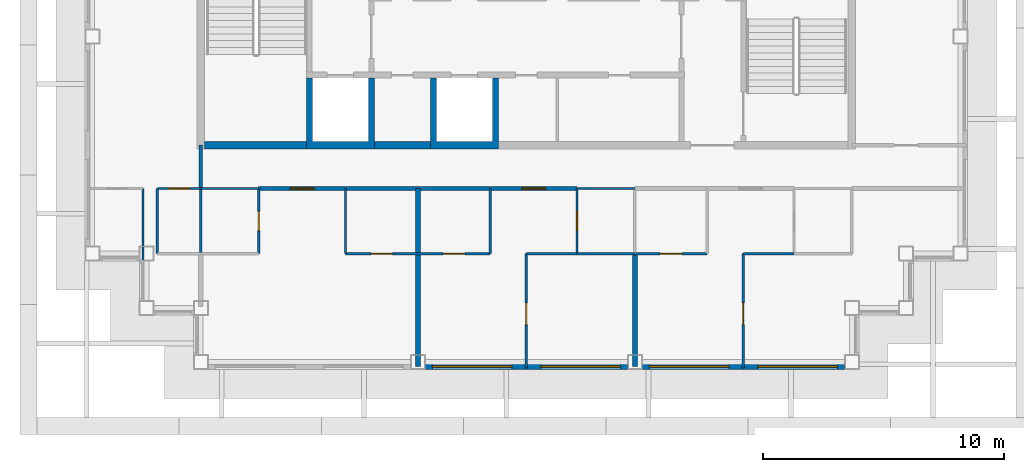
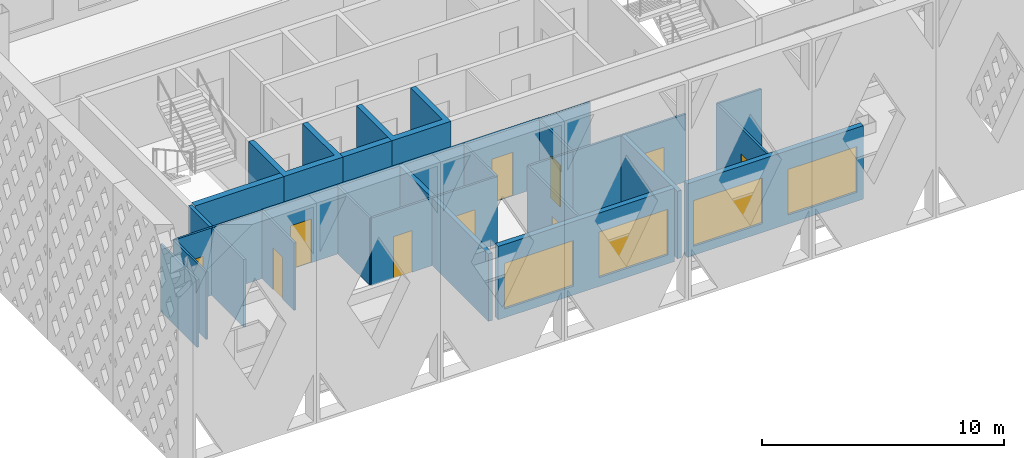
# One storey, part 2 of 13: 27 walls, 10 doors, 4 windows, 14 openings.
"""IFC4 building model written with IfcOpenShell, lengths in metres."""

import ifcopenshell
import ifcopenshell.guid

model = None  # the IFC model being written
_history = None  # IfcOwnerHistory: only IFC2X3 demands one
_inside = {}  # id of a spatial element -> (the spatial element, [elements in it])
_under = {}  # id of a project, library or spatial element -> (it, [spatial elements below it])
_declared = {}  # id of a project -> (the project, [libraries it declares])
_typed = {}  # id of a type object -> (the type object, [elements of that type])
_made_of = {}  # id of a material, layer set ... -> (it, [elements and type objects made of it])


def new_model(schema):
    """Start an empty IFC model of exactly this schema.

    Asked for "IFC4X3", IfcOpenShell would pick the latest addendum, in which some entities
    have other attributes; the version numbers below select the first issue.
    IFC2X3 requires an IfcOwnerHistory on every rooted entity: one is made here for all.
    """
    global model, _history
    if schema == "IFC4X3":
        model = ifcopenshell.file(schema_version=(4, 3, 0, 0))
    else:
        model = ifcopenshell.file(schema=schema)
    _inside.clear()
    _under.clear()
    _declared.clear()
    _typed.clear()
    _made_of.clear()
    _history = None
    if model.schema == "IFC2X3":
        org = make("IfcOrganization", Name="unknown")
        user = make(
            "IfcPersonAndOrganization",
            ThePerson=make("IfcPerson", FamilyName="unknown"),
            TheOrganization=org,
        )
        app = make(
            "IfcApplication",
            ApplicationDeveloper=org,
            Version="unknown",
            ApplicationFullName="unknown",
            ApplicationIdentifier="unknown",
        )
        _history = make(
            "IfcOwnerHistory",
            OwningUser=user,
            OwningApplication=app,
            ChangeAction="ADDED",
            CreationDate=0,
        )
    return model


def make(cls, **values):
    """One entity of the class cls with the attributes given. An attribute that is None is left unset."""
    return model.create_entity(
        cls, **{name: value for name, value in values.items() if value is not None}
    )


def rooted(cls, **values):
    """An entity with a GlobalId (a new one), such as an element, a storey or a relation."""
    return make(cls, GlobalId=ifcopenshell.guid.new(), OwnerHistory=_history, **values)


def si_unit(unit_type, name, prefix=None):
    """IfcSIUnit, for example si_unit("LENGTHUNIT", "METRE", prefix="MILLI")."""
    return make("IfcSIUnit", UnitType=unit_type, Prefix=prefix, Name=name)


def assignment(units):
    """IfcUnitAssignment: the units of a project."""
    return None if units is None else make("IfcUnitAssignment", Units=units)


def point(xyz):
    """IfcCartesianPoint."""
    return None if xyz is None else make("IfcCartesianPoint", Coordinates=xyz)


def direction(xyz):
    """IfcDirection."""
    return None if xyz is None else make("IfcDirection", DirectionRatios=xyz)


def frame(location, z_axis=None, x_axis=None):
    """IfcAxis2Placement3D, a coordinate frame: its origin and axes. An axis left out is left unset."""
    return make(
        "IfcAxis2Placement3D",
        Location=point(location),
        Axis=direction(z_axis),
        RefDirection=direction(x_axis),
    )


def frame_2d(location, x_axis=None):
    """IfcAxis2Placement2D, a coordinate frame in the plane: its origin and x axis."""
    return make(
        "IfcAxis2Placement2D", Location=point(location), RefDirection=direction(x_axis)
    )


def origin():
    """The frame at (0, 0, 0) with its axes left unset."""
    return frame((0.0, 0.0, 0.0))


def place(relative_to, where):
    """IfcLocalPlacement: puts the frame where relative to a parent placement (None: the world)."""
    return make(
        "IfcLocalPlacement", PlacementRelTo=relative_to, RelativePlacement=where
    )


def context(
    kind, dimensions, precision=None, world=None, true_north=None, identifier=None
):
    """IfcGeometricRepresentationContext, for example the 3D "Model" context."""
    return make(
        "IfcGeometricRepresentationContext",
        ContextIdentifier=identifier,
        ContextType=kind,
        CoordinateSpaceDimension=dimensions,
        Precision=precision,
        WorldCoordinateSystem=world,
        TrueNorth=true_north,
    )


def subcontext(parent, identifier, kind, view, scale=None):
    """IfcGeometricRepresentationSubContext, for example "Body" below "Model"."""
    return make(
        "IfcGeometricRepresentationSubContext",
        ContextIdentifier=identifier,
        ContextType=kind,
        ParentContext=parent,
        TargetScale=scale,
        TargetView=view,
    )


def project(units=None, contexts=None):
    """IfcProject with its units and contexts."""
    return rooted(
        "IfcProject",
        Name="project",
        RepresentationContexts=contexts,
        UnitsInContext=assignment(units),
    )


def spatial(cls, under=None, at=None, **own):
    """A site, building, storey or space (cls), placed at a placement, below another one or the project."""
    s = rooted(cls, ObjectPlacement=at, **own)
    if under is not None:
        _under.setdefault(under.id(), (under, []))[1].append(s)
    return s


def polyline(points):
    """IfcPolyline through the points."""
    return make("IfcPolyline", Points=[point(p) for p in points])


def profile(cls, at=None, kind="AREA", **sizes):
    """A parametric profile (cls). Its sizes go by their IFC names, for example OverallWidth=200.0."""
    return make(cls, ProfileType=kind, Position=at, **sizes)


def rectangle(**sizes):
    """IfcRectangleProfileDef."""
    return profile("IfcRectangleProfileDef", **sizes)


def outline(outer, holes=None, kind="AREA"):
    """IfcArbitraryClosedProfileDef: a profile drawn as a closed curve; with holes, ...WithVoids."""
    if holes is None:
        return make("IfcArbitraryClosedProfileDef", ProfileType=kind, OuterCurve=outer)
    return make(
        "IfcArbitraryProfileDefWithVoids",
        ProfileType=kind,
        OuterCurve=outer,
        InnerCurves=holes,
    )


def extrude(swept, where, along, depth):
    """IfcExtrudedAreaSolid: the profile swept, set in the frame where, extruded along a direction by depth."""
    return make(
        "IfcExtrudedAreaSolid",
        SweptArea=swept,
        Position=where,
        ExtrudedDirection=direction(along),
        Depth=depth,
    )


def shape(context_of_items, identifier, shape_type, items):
    """IfcShapeRepresentation: the items that make up one representation, for example the "Body"."""
    return make(
        "IfcShapeRepresentation",
        ContextOfItems=context_of_items,
        RepresentationIdentifier=identifier,
        RepresentationType=shape_type,
        Items=items,
    )


def material(Name=None, Category=None):
    """IfcMaterial."""
    return make("IfcMaterial", Name=Name, Category=Category)


def layer(
    of_material, thickness, ventilated=None, Name=None, Category=None, Priority=None
):
    """IfcMaterialLayer: one layer of a wall or slab, of a material (None: an air gap)."""
    return make(
        "IfcMaterialLayer",
        Material=of_material,
        LayerThickness=thickness,
        IsVentilated=ventilated,
        Name=Name,
        Category=Category,
        Priority=Priority,
    )


def layer_set(layers, Name=None):
    """IfcMaterialLayerSet."""
    return make("IfcMaterialLayerSet", MaterialLayers=layers, LayerSetName=Name)


def made_of(thing, what):
    """Note that an element or type object is made of a material, layer set ...; save() writes the relation."""
    if what is not None:
        _made_of.setdefault(what.id(), (what, []))[1].append(thing)
    return thing


def type_object(cls, material=None, **own):
    """A type object (cls), such as IfcWallType, which elements share."""
    return made_of(rooted(cls, **own), material)


def element(
    cls,
    number,
    at=None,
    inside=None,
    cuts=None,
    type_object=None,
    material=None,
    context=None,
    identifier="Body",
    shape_type=None,
    held_by="IfcProductDefinitionShape",
    body=None,
    shapes=None,
    **own,
):
    """One element of the class cls, such as IfcWall. Its Tag is "e" and its number.

    at: its placement. inside: the storey or other place that contains it. cuts: it is an
    opening in that element (IfcRelVoidsElement). A single representation is given by context,
    identifier, shape_type and body (its items); several are given by shapes. held_by: the class
    of the entity that holds the representations. save() writes the other relations.
    """
    e = rooted(cls, Tag="e%d" % number, ObjectPlacement=at, **own)
    if body is not None:
        shapes = [shape(context, identifier, shape_type, body)]
    if shapes is not None:
        e.Representation = make(held_by, Representations=shapes)
    if inside is not None:
        _inside.setdefault(inside.id(), (inside, []))[1].append(e)
    if cuts is not None:
        rooted(
            "IfcRelVoidsElement", RelatingBuildingElement=cuts, RelatedOpeningElement=e
        )
    if type_object is not None:
        _typed.setdefault(type_object.id(), (type_object, []))[1].append(e)
    return made_of(e, material)


def fill(opening, filler):
    """IfcRelFillsElement: the door or window that sits in an opening."""
    return rooted(
        "IfcRelFillsElement",
        RelatingOpeningElement=opening,
        RelatedBuildingElement=filler,
    )


def aggregate(whole, parts):
    """IfcRelAggregates: a whole, such as a stair, and the parts it consists of."""
    return rooted("IfcRelAggregates", RelatingObject=whole, RelatedObjects=parts)


def save(model, path):
    """Write the relations noted so far, then the file.

    IfcRelAggregates (storeys below a building ...), IfcRelContainedInSpatialStructure (elements
    in a storey), IfcRelDefinesByType, IfcRelAssociatesMaterial and IfcRelDeclares: one each for
    every whole, place, type object, material and project.
    """
    for whole, parts in _under.values():
        aggregate(whole, parts)
    for where, things in _inside.values():
        rooted(
            "IfcRelContainedInSpatialStructure",
            RelatedElements=things,
            RelatingStructure=where,
        )
    for kind, things in _typed.values():
        rooted("IfcRelDefinesByType", RelatedObjects=things, RelatingType=kind)
    for what, things in _made_of.values():
        rooted("IfcRelAssociatesMaterial", RelatedObjects=things, RelatingMaterial=what)
    for by, libraries in _declared.values():
        rooted("IfcRelDeclares", RelatingContext=by, RelatedDefinitions=libraries)
    model.write(path)


model = new_model("IFC4")

# Units and contexts
model_context = context("Model", 3, precision=1e-05, world=origin(), true_north=direction((0.0, 1.0)))
body_context = subcontext(model_context, "Body", "Model", "MODEL_VIEW")
ifc_project = project(units=[si_unit("LENGTHUNIT", "METRE"), si_unit("AREAUNIT", "SQUARE_METRE"), si_unit("VOLUMEUNIT", "CUBIC_METRE"), si_unit("PLANEANGLEUNIT", "RADIAN"), si_unit("MASSUNIT", "GRAM", prefix="KILO")], contexts=[model_context])

# Site, building, storey
site_placement = place(None, origin())
site = spatial("IfcSite", under=ifc_project, at=site_placement, CompositionType="ELEMENT")
building_placement = place(site_placement, origin())
building = spatial("IfcBuilding", under=site, at=building_placement, Name="Caravel Reach Hotel and Residences", CompositionType="ELEMENT")
storey_placement = place(building_placement, frame((0.0, 0.0, 294.5)))
storey = spatial("IfcBuildingStorey", under=building, at=storey_placement, Name="L75", CompositionType="ELEMENT", Elevation=294.5)

# Walls
ifc_material_1 = material(Name="Gypsum board on steel stud", Category="steel")
ifc_layer_1 = layer(ifc_material_1, 0.10009765625)
ifc_layer_set_1 = layer_set([ifc_layer_1], Name="Bathroom pod wall 100 mm")
wall_type_1 = type_object("IfcWallType", Name="Bathroom pod wall 100 mm", PredefinedType="PARTITIONING", material=ifc_layer_set_1)
for number, where, z_axis, x_axis, name in (
    (1, (33.60009765625, 18.0, 0.0), (0.0, 0.0, 1.0), (1.0, 0.0, 0.0), "L75 wall w046"),
    (2, (18.0, 20.699951171875, 0.0), (0.0, 0.0, 1.0), (1.0, 0.0, 0.0), "L75 wall w048"),
    (3, (33.60009765625, 20.699951171875, 0.0), (0.0, 0.0, 1.0), (1.0, 0.0, 0.0), "L75 wall w049"),
):
    element("IfcWall", number, at=place(storey_placement, frame(where, z_axis=z_axis, x_axis=x_axis)), inside=storey, type_object=wall_type_1, Name=name, PredefinedType="PARTITIONING", context=body_context, shape_type="SweptSolid", body=[
        extrude(rectangle(XDim=2.39990234375, YDim=0.10009765625, at=frame_2d((1.199951171875, 0.0))), origin(), (0.0, 0.0, 1.0), 3.39990234375),
    ])
wall_1_placement = place(storey_placement, frame((15.60009765625, 17.699951171875, 0.0), z_axis=(0.0, 0.0, 1.0), x_axis=(0.0, 1.0, 0.0)))
element("IfcWall", 4, at=wall_1_placement, inside=storey, type_object=wall_type_1, Name="L75 wall w054", PredefinedType="PARTITIONING", context=body_context, shape_type="SweptSolid", body=[
    extrude(rectangle(XDim=3.0, YDim=0.10009765625, at=frame_2d((1.5, 0.0))), origin(), (0.0, 0.0, 1.0), 3.39990234375),
])
wall_2_placement = place(storey_placement, frame((18.0, 18.0, 0.0), z_axis=(0.0, 0.0, 1.0), x_axis=(0.0, 1.0, 0.0)))
element("IfcWall", 5, at=wall_2_placement, inside=storey, type_object=wall_type_1, Name="L75 wall w055", PredefinedType="PARTITIONING", context=body_context, shape_type="SweptSolid", body=[
    extrude(rectangle(XDim=2.699951171875, YDim=0.10009765625, at=frame_2d((1.35009765625, 0.0))), origin(), (0.0, 0.0, 1.0), 3.39990234375),
])

# Wall, opening, door
wall_3_placement = place(storey_placement, frame((20.39990234375, 18.0, 0.0), z_axis=(0.0, 0.0, 1.0), x_axis=(0.0, 1.0, 0.0)))
wall_3 = element("IfcWall", 6, at=wall_3_placement, inside=storey, type_object=wall_type_1, Name="L75 wall w056", PredefinedType="PARTITIONING", context=body_context, shape_type="SweptSolid", body=[
    extrude(rectangle(XDim=2.699951171875, YDim=0.10009765625, at=frame_2d((1.35009765625, 0.0))), origin(), (0.0, 0.0, 1.0), 3.39990234375),
])
opening_1_placement = place(wall_3_placement, frame((0.949951171875, 0.0, 0.0)))
opening_1 = element("IfcOpeningElement", 7, at=opening_1_placement, cuts=wall_3, Name="Opening D75-025", PredefinedType="OPENING", context=body_context, shape_type="SweptSolid", body=[
    extrude(rectangle(XDim=0.800048828125, YDim=2.10009765625, at=frame_2d((0.39990234375, 1.050048828125))), frame((0.0, 0.06005859375, 0.0), z_axis=(0.0, -1.0, 0.0), x_axis=(1.0, 0.0, 0.0)), (0.0, 0.0, 1.0), 0.1201171875),
])
ifc_material_2 = material(Name="Timber and steel door leaf", Category="steel")
door_type_1 = type_object("IfcDoorType", Name="Bathroom door 800 x 2100", OperationType="SINGLE_SWING_LEFT", PredefinedType="DOOR", material=ifc_material_2)
door_1_placement = place(opening_1_placement, origin())
door_1 = element("IfcDoor", 8, at=door_1_placement, inside=storey, type_object=door_type_1, Name="door D75-025", OperationType="SINGLE_SWING_LEFT", OverallHeight=2.10009765625, OverallWidth=0.800048828125, PredefinedType="DOOR", context=body_context, shape_type="SweptSolid", body=[
    extrude(rectangle(XDim=0.800048828125, YDim=2.10009765625, at=frame_2d((0.39990234375, 1.050048828125))), frame((0.0, 0.02490234375, 0.0), z_axis=(0.0, -1.0, 0.0), x_axis=(1.0, 0.0, 0.0)), (0.0, 0.0, 1.0), 0.050048828125),
])
fill(opening_1, door_1)

wall_4_placement = place(storey_placement, frame((33.60009765625, 18.0, 0.0), z_axis=(0.0, 0.0, 1.0), x_axis=(0.0, 1.0, 0.0)))
wall_4 = element("IfcWall", 9, at=wall_4_placement, inside=storey, type_object=wall_type_1, Name="L75 wall w058", PredefinedType="PARTITIONING", context=body_context, shape_type="SweptSolid", body=[
    extrude(rectangle(XDim=2.699951171875, YDim=0.10009765625, at=frame_2d((1.35009765625, 0.0))), origin(), (0.0, 0.0, 1.0), 3.39990234375),
])
opening_2_placement = place(wall_4_placement, frame((0.949951171875, 0.0, 0.0)))
opening_2 = element("IfcOpeningElement", 10, at=opening_2_placement, cuts=wall_4, Name="Opening D75-029", PredefinedType="OPENING", context=body_context, shape_type="SweptSolid", body=[
    extrude(rectangle(XDim=0.800048828125, YDim=2.10009765625, at=frame_2d((0.39990234375, 1.050048828125))), frame((0.0, 0.06005859375, 0.0), z_axis=(0.0, -1.0, 0.0), x_axis=(1.0, 0.0, 0.0)), (0.0, 0.0, 1.0), 0.1201171875),
])
door_2_placement = place(opening_2_placement, origin())
door_2 = element("IfcDoor", 11, at=door_2_placement, inside=storey, type_object=door_type_1, Name="door D75-029", OperationType="SINGLE_SWING_RIGHT", OverallHeight=2.10009765625, OverallWidth=0.800048828125, PredefinedType="DOOR", context=body_context, shape_type="SweptSolid", body=[
    extrude(rectangle(XDim=0.800048828125, YDim=2.10009765625, at=frame_2d((0.39990234375, 1.050048828125))), frame((0.0, 0.02490234375, 0.0), z_axis=(0.0, -1.0, 0.0), x_axis=(1.0, 0.0, 0.0)), (0.0, 0.0, 1.0), 0.050048828125),
])
fill(opening_2, door_2)

# Walls
ifc_material_3 = material(Name="Concrete C60", Category="concrete")
ifc_layer_2 = layer(ifc_material_3, 0.300048828125)
ifc_layer_set_2 = layer_set([ifc_layer_2], Name="Core wall 300 mm EI 120")
wall_type_2 = type_object("IfcWallType", Name="Core wall 300 mm EI 120", PredefinedType="SHEAR", material=ifc_layer_set_2)
wall_5_placement = place(storey_placement, frame((18.14990234375, 22.5, 0.0), z_axis=(0.0, 0.0, 1.0), x_axis=(1.0, 0.0, 0.0)))
element("IfcWall", 12, at=wall_5_placement, inside=storey, type_object=wall_type_2, Name="L75 core wall S1", PredefinedType="SHEAR", context=body_context, shape_type="SweptSolid", body=[
    extrude(rectangle(XDim=4.22509765625, YDim=0.300048828125, at=frame_2d((2.112548828125, 0.0))), origin(), (0.0, 0.0, 1.0), 3.39990234375),
])
wall_6_placement = place(storey_placement, frame((25.196533203125, 22.5, 0.0), z_axis=(0.0, 0.0, 1.0), x_axis=(1.0, 0.0, 0.0)))
element("IfcWall", 13, at=wall_6_placement, inside=storey, type_object=wall_type_2, Name="L75 core wall S2", PredefinedType="SHEAR", context=body_context, shape_type="SweptSolid", body=[
    extrude(rectangle(XDim=2.3212890625, YDim=0.300048828125, at=frame_2d((1.16064453125, 0.0))), origin(), (0.0, 0.0, 1.0), 3.39990234375),
])

# Wall, openings, doors
ifc_material_4 = material(Name="Gypsum board on steel stud, fire-rated", Category="steel")
ifc_layer_3 = layer(ifc_material_4, 0.14990234375)
ifc_layer_set_3 = layer_set([ifc_layer_3], Name="Corridor wall 150 mm EI 60")
wall_type_3 = type_object("IfcWallType", Name="Corridor wall 150 mm EI 60", PredefinedType="PARTITIONING", material=ifc_layer_set_3)
wall_7_placement = place(storey_placement, frame((20.39990234375, 20.699951171875, 0.0), z_axis=(0.0, 0.0, 1.0), x_axis=(1.0, 0.0, 0.0)))
wall_7 = element("IfcWall", 14, at=wall_7_placement, inside=storey, type_object=wall_type_3, Name="L75 wall w001", PredefinedType="PARTITIONING", context=body_context, shape_type="SweptSolid", body=[
    extrude(rectangle(XDim=13.2001953125, YDim=0.14990234375, at=frame_2d((6.60009765625, 0.0))), origin(), (0.0, 0.0, 1.0), 3.39990234375),
])
opening_3_placement = place(wall_7_placement, frame((1.300048828125, 0.0, 0.0)))
opening_3 = element("IfcOpeningElement", 15, at=opening_3_placement, cuts=wall_7, Name="Opening D75-024", PredefinedType="OPENING", context=body_context, shape_type="SweptSolid", body=[
    extrude(rectangle(XDim=1.0, YDim=2.199951171875, at=frame_2d((0.5, 1.10009765625))), frame((0.0, 0.0849609375, 0.0), z_axis=(0.0, -1.0, 0.0), x_axis=(1.0, 0.0, 0.0)), (0.0, 0.0, 1.0), 0.169921875),
])
opening_4_placement = place(wall_7_placement, frame((10.900146484375, 0.0, 0.0)))
opening_4 = element("IfcOpeningElement", 16, at=opening_4_placement, cuts=wall_7, Name="Opening D75-027", PredefinedType="OPENING", context=body_context, shape_type="SweptSolid", body=[
    extrude(rectangle(XDim=1.0, YDim=2.199951171875, at=frame_2d((0.5, 1.10009765625))), frame((0.0, 0.0849609375, 0.0), z_axis=(0.0, -1.0, 0.0), x_axis=(1.0, 0.0, 0.0)), (0.0, 0.0, 1.0), 0.169921875),
])
ifc_material_5 = material(Name="Steel fire door leaf", Category="steel")
door_type_2 = type_object("IfcDoorType", Name="Flat entrance door 1000 x 2200 EI 60", OperationType="SINGLE_SWING_LEFT", PredefinedType="DOOR", material=ifc_material_5)
door_3_placement = place(opening_3_placement, origin())
door_3 = element("IfcDoor", 17, at=door_3_placement, inside=storey, type_object=door_type_2, Name="door D75-024", OperationType="SINGLE_SWING_RIGHT", OverallHeight=2.199951171875, OverallWidth=1.0, PredefinedType="DOOR", context=body_context, shape_type="SweptSolid", body=[
    extrude(rectangle(XDim=1.0, YDim=2.199951171875, at=frame_2d((0.5, 1.10009765625))), frame((0.0, 0.02490234375, 0.0), z_axis=(0.0, -1.0, 0.0), x_axis=(1.0, 0.0, 0.0)), (0.0, 0.0, 1.0), 0.050048828125),
])
fill(opening_3, door_3)
door_4_placement = place(opening_4_placement, origin())
door_4 = element("IfcDoor", 18, at=door_4_placement, inside=storey, type_object=door_type_2, Name="door D75-027", OperationType="SINGLE_SWING_RIGHT", OverallHeight=2.199951171875, OverallWidth=1.0, PredefinedType="DOOR", context=body_context, shape_type="SweptSolid", body=[
    extrude(rectangle(XDim=1.0, YDim=2.199951171875, at=frame_2d((0.5, 1.10009765625))), frame((0.0, 0.02490234375, 0.0), z_axis=(0.0, -1.0, 0.0), x_axis=(1.0, 0.0, 0.0)), (0.0, 0.0, 1.0), 0.050048828125),
])
fill(opening_4, door_4)

# Wall
wall_8_placement = place(storey_placement, frame((18.0, 20.699951171875, 0.0), z_axis=(0.0, 0.0, 1.0), x_axis=(0.0, 1.0, 0.0)))
element("IfcWall", 19, at=wall_8_placement, inside=storey, type_object=wall_type_3, Name="L75 wall w015", PredefinedType="PARTITIONING", context=body_context, shape_type="SweptSolid", body=[
    extrude(rectangle(XDim=1.800048828125, YDim=0.14990234375, at=frame_2d((0.89990234375, 0.0))), origin(), (0.0, 0.0, 1.0), 3.39990234375),
])

# Wall, openings, windows
ifc_material_6 = material(Name="Insulated rainscreen wall, aluminium cladding", Category="aluminium")
ifc_layer_4 = layer(ifc_material_6, 0.25)
ifc_layer_set_4 = layer_set([ifc_layer_4], Name="EW1 Tower rainscreen wall")
wall_type_4 = type_object("IfcWallType", Name="EW1 Tower rainscreen wall", PredefinedType="SOLIDWALL", material=ifc_layer_set_4)
wall_9_placement = place(storey_placement, frame((27.300048828125, 13.324951171875, 0.0), z_axis=(0.0, 0.0, 1.0), x_axis=(1.0, 0.0, 0.0)))
wall_9 = element("IfcWall", 20, at=wall_9_placement, inside=storey, type_object=wall_type_4, Name="External wall L75 S20.2", PredefinedType="SOLIDWALL", context=body_context, shape_type="SweptSolid", body=[
    extrude(rectangle(XDim=8.39990234375, YDim=0.25, at=frame_2d((4.199951171875, 0.0))), origin(), (0.0, 0.0, 1.0), 3.699951171875),
])
opening_5_placement = place(wall_9_placement, frame((0.300048828125, 0.0, 0.449951171875)))
opening_5 = element("IfcOpeningElement", 21, at=opening_5_placement, cuts=wall_9, Name="Opening WN15", PredefinedType="OPENING", context=body_context, shape_type="SweptSolid", body=[
    extrude(rectangle(XDim=3.300048828125, YDim=2.300048828125, at=frame_2d((1.64990234375, 1.14990234375))), frame((0.0, 0.135009765625, 0.0), z_axis=(0.0, -1.0, 0.0), x_axis=(1.0, 0.0, 0.0)), (0.0, 0.0, 1.0), 0.27001953125),
])
opening_6_placement = place(wall_9_placement, frame((4.800048828125, 0.0, 0.449951171875)))
opening_6 = element("IfcOpeningElement", 22, at=opening_6_placement, cuts=wall_9, Name="Opening WN15", PredefinedType="OPENING", context=body_context, shape_type="SweptSolid", body=[
    extrude(rectangle(XDim=3.300048828125, YDim=2.300048828125, at=frame_2d((1.64990234375, 1.14990234375))), frame((0.0, 0.135009765625, 0.0), z_axis=(0.0, -1.0, 0.0), x_axis=(1.0, 0.0, 0.0)), (0.0, 0.0, 1.0), 0.27001953125),
])
ifc_material_7 = material(Name="Dark low-e glazing in black aluminium frame", Category="aluminium")
window_type = type_object("IfcWindowType", Name="Residence living window 3300 x 2300", PartitioningType="SINGLE_PANEL", PredefinedType="WINDOW", material=ifc_material_7)
window_1_placement = place(opening_5_placement, origin())
window_1 = element("IfcWindow", 23, at=window_1_placement, inside=storey, type_object=window_type, Name="Window L75 S20.2.1", OverallHeight=2.300048828125, OverallWidth=3.300048828125, PartitioningType="SINGLE_PANEL", PredefinedType="WINDOW", context=body_context, shape_type="SweptSolid", body=[
    extrude(rectangle(XDim=3.300048828125, YDim=2.300048828125, at=frame_2d((1.64990234375, 1.14990234375))), frame((0.0, 0.030029296875, 0.0), z_axis=(0.0, -1.0, 0.0), x_axis=(1.0, 0.0, 0.0)), (0.0, 0.0, 1.0), 0.06005859375),
])
fill(opening_5, window_1)
window_2_placement = place(opening_6_placement, origin())
window_2 = element("IfcWindow", 24, at=window_2_placement, inside=storey, type_object=window_type, Name="Window L75 S20.2.2", OverallHeight=2.300048828125, OverallWidth=3.300048828125, PartitioningType="SINGLE_PANEL", PredefinedType="WINDOW", context=body_context, shape_type="SweptSolid", body=[
    extrude(rectangle(XDim=3.300048828125, YDim=2.300048828125, at=frame_2d((1.64990234375, 1.14990234375))), frame((0.0, 0.030029296875, 0.0), z_axis=(0.0, -1.0, 0.0), x_axis=(1.0, 0.0, 0.0)), (0.0, 0.0, 1.0), 0.06005859375),
])
fill(opening_6, window_2)

wall_10_placement = place(storey_placement, frame((36.300048828125, 13.324951171875, 0.0), z_axis=(0.0, 0.0, 1.0), x_axis=(1.0, 0.0, 0.0)))
wall_10 = element("IfcWall", 25, at=wall_10_placement, inside=storey, type_object=wall_type_4, Name="External wall L75 S20.3", PredefinedType="SOLIDWALL", context=body_context, shape_type="SweptSolid", body=[
    extrude(rectangle(XDim=8.39990234375, YDim=0.25, at=frame_2d((4.199951171875, 0.0))), origin(), (0.0, 0.0, 1.0), 3.699951171875),
])
opening_7_placement = place(wall_10_placement, frame((0.300048828125, 0.0, 0.449951171875)))
opening_7 = element("IfcOpeningElement", 26, at=opening_7_placement, cuts=wall_10, Name="Opening WN15", PredefinedType="OPENING", context=body_context, shape_type="SweptSolid", body=[
    extrude(rectangle(XDim=3.300048828125, YDim=2.300048828125, at=frame_2d((1.64990234375, 1.14990234375))), frame((0.0, 0.135009765625, 0.0), z_axis=(0.0, -1.0, 0.0), x_axis=(1.0, 0.0, 0.0)), (0.0, 0.0, 1.0), 0.27001953125),
])
opening_8_placement = place(wall_10_placement, frame((4.800048828125, 0.0, 0.449951171875)))
opening_8 = element("IfcOpeningElement", 27, at=opening_8_placement, cuts=wall_10, Name="Opening WN15", PredefinedType="OPENING", context=body_context, shape_type="SweptSolid", body=[
    extrude(rectangle(XDim=3.300048828125, YDim=2.300048828125, at=frame_2d((1.64990234375, 1.14990234375))), frame((0.0, 0.135009765625, 0.0), z_axis=(0.0, -1.0, 0.0), x_axis=(1.0, 0.0, 0.0)), (0.0, 0.0, 1.0), 0.27001953125),
])
window_3_placement = place(opening_7_placement, origin())
window_3 = element("IfcWindow", 28, at=window_3_placement, inside=storey, type_object=window_type, Name="Window L75 S20.3.1", OverallHeight=2.300048828125, OverallWidth=3.300048828125, PartitioningType="SINGLE_PANEL", PredefinedType="WINDOW", context=body_context, shape_type="SweptSolid", body=[
    extrude(rectangle(XDim=3.300048828125, YDim=2.300048828125, at=frame_2d((1.64990234375, 1.14990234375))), frame((0.0, 0.030029296875, 0.0), z_axis=(0.0, -1.0, 0.0), x_axis=(1.0, 0.0, 0.0)), (0.0, 0.0, 1.0), 0.06005859375),
])
fill(opening_7, window_3)
window_4_placement = place(opening_8_placement, origin())
window_4 = element("IfcWindow", 29, at=window_4_placement, inside=storey, type_object=window_type, Name="Window L75 S20.3.2", OverallHeight=2.300048828125, OverallWidth=3.300048828125, PartitioningType="SINGLE_PANEL", PredefinedType="WINDOW", context=body_context, shape_type="SweptSolid", body=[
    extrude(rectangle(XDim=3.300048828125, YDim=2.300048828125, at=frame_2d((1.64990234375, 1.14990234375))), frame((0.0, 0.030029296875, 0.0), z_axis=(0.0, -1.0, 0.0), x_axis=(1.0, 0.0, 0.0)), (0.0, 0.0, 1.0), 0.06005859375),
])
fill(opening_8, window_4)

# Wall, openings, doors
ifc_material_8 = material(Name="Gypsum board on steel stud", Category="steel")
ifc_layer_5 = layer(ifc_material_8, 0.10009765625)
ifc_layer_set_5 = layer_set([ifc_layer_5], Name="Partition 100 mm")
wall_type_5 = type_object("IfcWallType", Name="Partition 100 mm", PredefinedType="PARTITIONING", material=ifc_layer_set_5)
wall_11_placement = place(storey_placement, frame((24.0, 18.0, 0.0), z_axis=(0.0, 0.0, 1.0), x_axis=(1.0, 0.0, 0.0)))
wall_11 = element("IfcWall", 30, at=wall_11_placement, inside=storey, type_object=wall_type_5, Name="L75 wall w017", PredefinedType="PARTITIONING", context=body_context, shape_type="SweptSolid", body=[
    extrude(rectangle(XDim=6.0, YDim=0.10009765625, at=frame_2d((3.0, 0.0))), origin(), (0.0, 0.0, 1.0), 3.39990234375),
])
opening_9_placement = place(wall_11_placement, frame((1.050048828125, 0.0, 0.0)))
opening_9 = element("IfcOpeningElement", 31, at=opening_9_placement, cuts=wall_11, Name="Opening D75-026", PredefinedType="OPENING", context=body_context, shape_type="SweptSolid", body=[
    extrude(rectangle(XDim=0.89990234375, YDim=2.10009765625, at=frame_2d((0.449951171875, 1.050048828125))), frame((0.0, 0.06005859375, 0.0), z_axis=(0.0, -1.0, 0.0), x_axis=(1.0, 0.0, 0.0)), (0.0, 0.0, 1.0), 0.1201171875),
])
opening_10_placement = place(wall_11_placement, frame((4.050048828125, 0.0, 0.0)))
opening_10 = element("IfcOpeningElement", 32, at=opening_10_placement, cuts=wall_11, Name="Opening D75-028", PredefinedType="OPENING", context=body_context, shape_type="SweptSolid", body=[
    extrude(rectangle(XDim=0.89990234375, YDim=2.10009765625, at=frame_2d((0.449951171875, 1.050048828125))), frame((0.0, 0.06005859375, 0.0), z_axis=(0.0, -1.0, 0.0), x_axis=(1.0, 0.0, 0.0)), (0.0, 0.0, 1.0), 0.1201171875),
])
ifc_material_9 = material(Name="Timber and steel door leaf", Category="steel")
door_type_3 = type_object("IfcDoorType", Name="Door 900 x 2100 timber", OperationType="SINGLE_SWING_LEFT", PredefinedType="DOOR", material=ifc_material_9)
door_5_placement = place(opening_9_placement, origin())
door_5 = element("IfcDoor", 33, at=door_5_placement, inside=storey, type_object=door_type_3, Name="door D75-026", OperationType="SINGLE_SWING_RIGHT", OverallHeight=2.10009765625, OverallWidth=0.89990234375, PredefinedType="DOOR", context=body_context, shape_type="SweptSolid", body=[
    extrude(rectangle(XDim=0.89990234375, YDim=2.10009765625, at=frame_2d((0.449951171875, 1.050048828125))), frame((0.0, 0.02490234375, 0.0), z_axis=(0.0, -1.0, 0.0), x_axis=(1.0, 0.0, 0.0)), (0.0, 0.0, 1.0), 0.050048828125),
])
fill(opening_9, door_5)
door_6_placement = place(opening_10_placement, origin())
door_6 = element("IfcDoor", 34, at=door_6_placement, inside=storey, type_object=door_type_3, Name="door D75-028", OperationType="SINGLE_SWING_RIGHT", OverallHeight=2.10009765625, OverallWidth=0.89990234375, PredefinedType="DOOR", context=body_context, shape_type="SweptSolid", body=[
    extrude(rectangle(XDim=0.89990234375, YDim=2.10009765625, at=frame_2d((0.449951171875, 1.050048828125))), frame((0.0, 0.02490234375, 0.0), z_axis=(0.0, -1.0, 0.0), x_axis=(1.0, 0.0, 0.0)), (0.0, 0.0, 1.0), 0.050048828125),
])
fill(opening_10, door_6)

# Walls
for number, where, z_axis, x_axis, name in (
    (35, (31.5, 18.0, 0.0), (0.0, 0.0, 1.0), (1.0, 0.0, 0.0), "L75 wall w018"),
    (36, (40.5, 18.0, 0.0), (0.0, 0.0, 1.0), (1.0, 0.0, 0.0), "L75 wall w020"),
):
    element("IfcWall", number, at=place(storey_placement, frame(where, z_axis=z_axis, x_axis=x_axis)), inside=storey, type_object=wall_type_5, Name=name, PredefinedType="PARTITIONING", context=body_context, shape_type="SweptSolid", body=[
        extrude(rectangle(XDim=2.10009765625, YDim=0.10009765625, at=frame_2d((1.050048828125, 0.0))), origin(), (0.0, 0.0, 1.0), 3.39990234375),
    ])

# Wall, opening, door
wall_12_placement = place(storey_placement, frame((36.0, 18.0, 0.0), z_axis=(0.0, 0.0, 1.0), x_axis=(1.0, 0.0, 0.0)))
wall_12 = element("IfcWall", 37, at=wall_12_placement, inside=storey, type_object=wall_type_5, Name="L75 wall w021", PredefinedType="PARTITIONING", context=body_context, shape_type="SweptSolid", body=[
    extrude(rectangle(XDim=3.0, YDim=0.10009765625, at=frame_2d((1.5, 0.0))), origin(), (0.0, 0.0, 1.0), 3.39990234375),
])
opening_11_placement = place(wall_12_placement, frame((1.050048828125, 0.0, 0.0)))
opening_11 = element("IfcOpeningElement", 38, at=opening_11_placement, cuts=wall_12, Name="Opening D75-032", PredefinedType="OPENING", context=body_context, shape_type="SweptSolid", body=[
    extrude(rectangle(XDim=0.89990234375, YDim=2.10009765625, at=frame_2d((0.449951171875, 1.050048828125))), frame((0.0, 0.06005859375, 0.0), z_axis=(0.0, -1.0, 0.0), x_axis=(1.0, 0.0, 0.0)), (0.0, 0.0, 1.0), 0.1201171875),
])
door_7_placement = place(opening_11_placement, origin())
door_7 = element("IfcDoor", 39, at=door_7_placement, inside=storey, type_object=door_type_3, Name="door D75-032", OperationType="SINGLE_SWING_LEFT", OverallHeight=2.10009765625, OverallWidth=0.89990234375, PredefinedType="DOOR", context=body_context, shape_type="SweptSolid", body=[
    extrude(rectangle(XDim=0.89990234375, YDim=2.10009765625, at=frame_2d((0.449951171875, 1.050048828125))), frame((0.0, 0.02490234375, 0.0), z_axis=(0.0, -1.0, 0.0), x_axis=(1.0, 0.0, 0.0)), (0.0, 0.0, 1.0), 0.050048828125),
])
fill(opening_11, door_7)

wall_13_placement = place(storey_placement, frame((16.199951171875, 20.699951171875, 0.0), z_axis=(0.0, 0.0, 1.0), x_axis=(1.0, 0.0, 0.0)))
wall_13 = element("IfcWall", 40, at=wall_13_placement, inside=storey, type_object=wall_type_5, Name="L75 wall w023", PredefinedType="PARTITIONING", context=body_context, shape_type="SweptSolid", body=[
    extrude(rectangle(XDim=1.800048828125, YDim=0.10009765625, at=frame_2d((0.89990234375, 0.0))), origin(), (0.0, 0.0, 1.0), 3.39990234375),
])
opening_12_placement = place(wall_13_placement, frame((0.449951171875, 0.0, 0.0)))
opening_12 = element("IfcOpeningElement", 41, at=opening_12_placement, cuts=wall_13, Name="Opening D75-037", PredefinedType="OPENING", context=body_context, shape_type="SweptSolid", body=[
    extrude(rectangle(XDim=0.89990234375, YDim=2.10009765625, at=frame_2d((0.449951171875, 1.050048828125))), frame((0.0, 0.06005859375, 0.0), z_axis=(0.0, -1.0, 0.0), x_axis=(1.0, 0.0, 0.0)), (0.0, 0.0, 1.0), 0.1201171875),
])
door_8_placement = place(opening_12_placement, origin())
door_8 = element("IfcDoor", 42, at=door_8_placement, inside=storey, type_object=door_type_3, Name="door D75-037", OperationType="SINGLE_SWING_LEFT", OverallHeight=2.10009765625, OverallWidth=0.89990234375, PredefinedType="DOOR", context=body_context, shape_type="SweptSolid", body=[
    extrude(rectangle(XDim=0.89990234375, YDim=2.10009765625, at=frame_2d((0.449951171875, 1.050048828125))), frame((0.0, 0.02490234375, 0.0), z_axis=(0.0, -1.0, 0.0), x_axis=(1.0, 0.0, 0.0)), (0.0, 0.0, 1.0), 0.050048828125),
])
fill(opening_12, door_8)

# Walls
for number, where, z_axis, x_axis, name in (
    (43, (16.199951171875, 18.0, 0.0), (0.0, 0.0, 1.0), (0.0, 1.0, 0.0), "L75 wall w028"),
    (44, (24.0, 18.0, 0.0), (0.0, 0.0, 1.0), (0.0, 1.0, 0.0), "L75 wall w029"),
    (45, (30.0, 18.0, 0.0), (0.0, 0.0, 1.0), (0.0, 1.0, 0.0), "L75 wall w030"),
):
    element("IfcWall", number, at=place(storey_placement, frame(where, z_axis=z_axis, x_axis=x_axis)), inside=storey, type_object=wall_type_5, Name=name, PredefinedType="PARTITIONING", context=body_context, shape_type="SweptSolid", body=[
        extrude(rectangle(XDim=2.699951171875, YDim=0.10009765625, at=frame_2d((1.35009765625, 0.0))), origin(), (0.0, 0.0, 1.0), 3.39990234375),
    ])

# Wall, opening, door
wall_14_placement = place(storey_placement, frame((31.5, 13.260009765625, 0.0), z_axis=(0.0, 0.0, 1.0), x_axis=(0.0, 1.0, 0.0)))
wall_14 = element("IfcWall", 46, at=wall_14_placement, inside=storey, type_object=wall_type_5, Name="L75 wall w032", PredefinedType="PARTITIONING", context=body_context, shape_type="SweptSolid", body=[
    extrude(rectangle(XDim=4.739990234375, YDim=0.10009765625, at=frame_2d((2.3701171875, 0.0))), origin(), (0.0, 0.0, 1.0), 3.39990234375),
])
opening_13_placement = place(wall_14_placement, frame((1.800048828125, 0.0, 0.0)))
opening_13 = element("IfcOpeningElement", 47, at=opening_13_placement, cuts=wall_14, Name="Opening D75-030", PredefinedType="OPENING", context=body_context, shape_type="SweptSolid", body=[
    extrude(rectangle(XDim=0.89990234375, YDim=2.10009765625, at=frame_2d((0.449951171875, 1.050048828125))), frame((0.0, 0.06005859375, 0.0), z_axis=(0.0, -1.0, 0.0), x_axis=(1.0, 0.0, 0.0)), (0.0, 0.0, 1.0), 0.1201171875),
])
door_9_placement = place(opening_13_placement, origin())
door_9 = element("IfcDoor", 48, at=door_9_placement, inside=storey, type_object=door_type_3, Name="door D75-030", OperationType="SINGLE_SWING_LEFT", OverallHeight=2.10009765625, OverallWidth=0.89990234375, PredefinedType="DOOR", context=body_context, shape_type="SweptSolid", body=[
    extrude(rectangle(XDim=0.89990234375, YDim=2.10009765625, at=frame_2d((0.449951171875, 1.050048828125))), frame((0.0, 0.02490234375, 0.0), z_axis=(0.0, -1.0, 0.0), x_axis=(1.0, 0.0, 0.0)), (0.0, 0.0, 1.0), 0.050048828125),
])
fill(opening_13, door_9)

wall_15_placement = place(storey_placement, frame((40.5, 13.260009765625, 0.0), z_axis=(0.0, 0.0, 1.0), x_axis=(0.0, 1.0, 0.0)))
wall_15 = element("IfcWall", 49, at=wall_15_placement, inside=storey, type_object=wall_type_5, Name="L75 wall w037", PredefinedType="PARTITIONING", context=body_context, shape_type="SweptSolid", body=[
    extrude(rectangle(XDim=4.739990234375, YDim=0.10009765625, at=frame_2d((2.3701171875, 0.0))), origin(), (0.0, 0.0, 1.0), 3.39990234375),
])
opening_14_placement = place(wall_15_placement, frame((1.800048828125, 0.0, 0.0)))
opening_14 = element("IfcOpeningElement", 50, at=opening_14_placement, cuts=wall_15, Name="Opening D75-034", PredefinedType="OPENING", context=body_context, shape_type="SweptSolid", body=[
    extrude(rectangle(XDim=0.89990234375, YDim=2.10009765625, at=frame_2d((0.449951171875, 1.050048828125))), frame((0.0, 0.06005859375, 0.0), z_axis=(0.0, -1.0, 0.0), x_axis=(1.0, 0.0, 0.0)), (0.0, 0.0, 1.0), 0.1201171875),
])
door_10_placement = place(opening_14_placement, origin())
door_10 = element("IfcDoor", 51, at=door_10_placement, inside=storey, type_object=door_type_3, Name="door D75-034", OperationType="SINGLE_SWING_RIGHT", OverallHeight=2.10009765625, OverallWidth=0.89990234375, PredefinedType="DOOR", context=body_context, shape_type="SweptSolid", body=[
    extrude(rectangle(XDim=0.89990234375, YDim=2.10009765625, at=frame_2d((0.449951171875, 1.050048828125))), frame((0.0, 0.02490234375, 0.0), z_axis=(0.0, -1.0, 0.0), x_axis=(1.0, 0.0, 0.0)), (0.0, 0.0, 1.0), 0.050048828125),
])
fill(opening_14, door_10)

# Walls
ifc_material_10 = material(Name="Autoclaved aerated block wall")
ifc_layer_6 = layer(ifc_material_10, 0.199951171875)
ifc_layer_set_6 = layer_set([ifc_layer_6], Name="Party wall 200 mm EI 60")
wall_type_6 = type_object("IfcWallType", Name="Party wall 200 mm EI 60", PredefinedType="PARTITIONING", material=ifc_layer_set_6)
wall_16_placement = place(storey_placement, frame((27.0, 13.31005859375, 0.0), z_axis=(0.0, 0.0, 1.0), x_axis=(0.0, 1.0, 0.0)))
element("IfcWall", 52, at=wall_16_placement, inside=storey, type_object=wall_type_6, Name="L75 wall w042", PredefinedType="PARTITIONING", context=body_context, shape_type="SweptSolid", body=[
    extrude(rectangle(XDim=7.389892578125, YDim=0.199951171875, at=frame_2d((3.69482421875, 0.0))), origin(), (0.0, 0.0, 1.0), 3.39990234375),
])
wall_17_placement = place(storey_placement, frame((36.0, 13.31005859375, 0.0), z_axis=(0.0, 0.0, 1.0), x_axis=(0.0, 1.0, 0.0)))
element("IfcWall", 53, at=wall_17_placement, inside=storey, type_object=wall_type_6, Name="L75 wall w044", PredefinedType="PARTITIONING", context=body_context, shape_type="SweptSolid", body=[
    extrude(rectangle(XDim=4.68994140625, YDim=0.199951171875, at=frame_2d((2.344970703125, 0.0))), origin(), (0.0, 0.0, 1.0), 3.39990234375),
])
ifc_material_11 = material(Name="Concrete C60", Category="concrete")
ifc_layer_7 = layer(ifc_material_11, 0.25)
ifc_layer_set_7 = layer_set([ifc_layer_7], Name="Shaft wall 250 mm EI 120")
wall_type_7 = type_object("IfcWallType", Name="Shaft wall 250 mm EI 120", PredefinedType="SHEAR", material=ifc_layer_set_7)
wall_18_placement = place(storey_placement, origin())
element("IfcWall", 54, at=wall_18_placement, inside=storey, type_object=wall_type_7, Name="L75 lift shaft wall S1", PredefinedType="SHEAR", context=body_context, shape_type="SweptSolid", body=[
    extrude(outline(polyline([(22.375, 22.35009765625), (25.196533203125, 22.35009765625), (25.196533203125, 25.27490234375), (24.946533203125, 25.27490234375), (24.946533203125, 22.64990234375), (22.625, 22.64990234375), (22.625, 25.27490234375), (22.375, 25.27490234375), (22.375, 22.35009765625)])), origin(), (0.0, 0.0, 1.0), 3.39990234375),
])
wall_19_placement = place(storey_placement, origin())
element("IfcWall", 55, at=wall_19_placement, inside=storey, type_object=wall_type_7, Name="L75 lift shaft wall S2", PredefinedType="SHEAR", context=body_context, shape_type="SweptSolid", body=[
    extrude(outline(polyline([(27.517822265625, 22.35009765625), (30.33935546875, 22.35009765625), (30.33935546875, 25.27490234375), (30.08935546875, 25.27490234375), (30.08935546875, 22.64990234375), (27.767822265625, 22.64990234375), (27.767822265625, 25.27490234375), (27.517822265625, 25.27490234375), (27.517822265625, 22.35009765625)])), origin(), (0.0, 0.0, 1.0), 3.39990234375),
])

save(model, "model.ifc")
